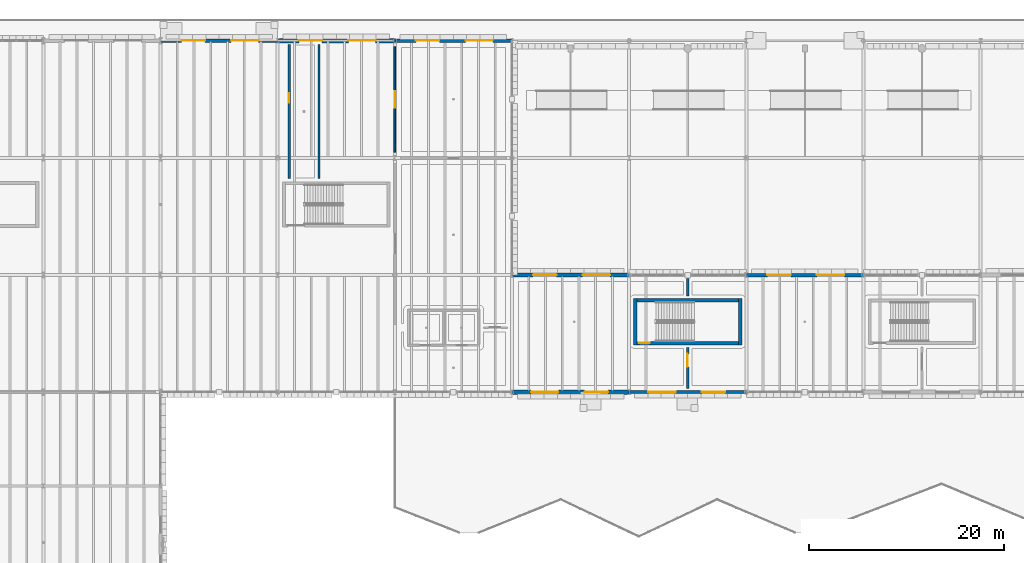
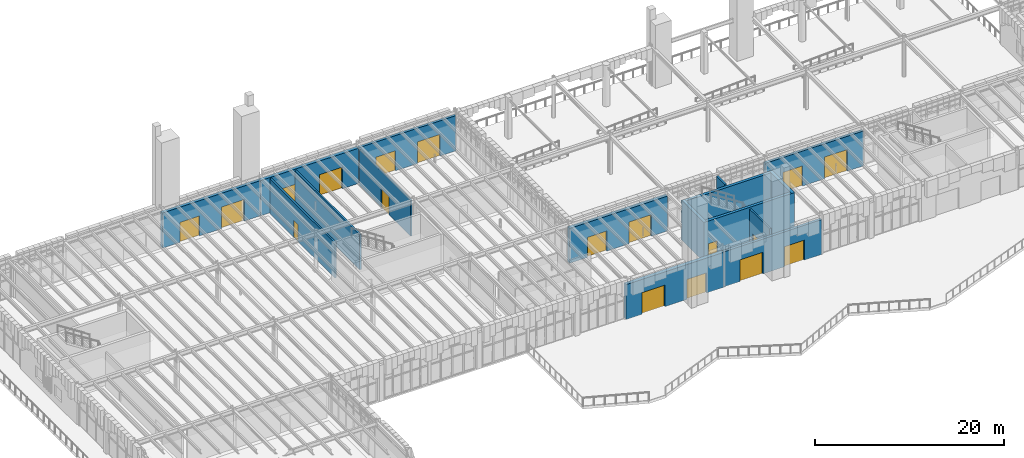
# One storey, part 54 of 103: 18 doors, 16 walls, 18 openings.
"""IFC4 building model written with IfcOpenShell, lengths in metres."""

from ifc_helpers import new_model, si_unit, direction, frame, frame_2d, origin, place, context, subcontext, project, spatial, rectangle, extrude, material, layer, layer_set, type_object, element, fill, save


model = new_model("IFC4")

# Units and contexts
model_context = context("Model", 3, precision=1e-05, world=origin(), true_north=direction((0.0, 1.0)))
body_context = subcontext(model_context, "Body", "Model", "MODEL_VIEW")
ifc_project = project(units=[si_unit("LENGTHUNIT", "METRE"), si_unit("AREAUNIT", "SQUARE_METRE"), si_unit("VOLUMEUNIT", "CUBIC_METRE"), si_unit("PLANEANGLEUNIT", "RADIAN"), si_unit("MASSUNIT", "GRAM", prefix="KILO")], contexts=[model_context])

# Site, building, storey
site_placement = place(None, origin())
site = spatial("IfcSite", under=ifc_project, at=site_placement, CompositionType="ELEMENT")
building_placement = place(site_placement, origin())
building = spatial("IfcBuilding", under=site, at=building_placement, Name="Zlatogorsky Bluff Art Gallery", CompositionType="ELEMENT")
storey_placement = place(building_placement, origin())
storey = spatial("IfcBuildingStorey", under=building, at=storey_placement, Name="L00", CompositionType="ELEMENT", Elevation=0.0)

# Wall, openings, doors
ifc_material_1 = material(Name="Precast concrete C40/50", Category="concrete")
ifc_layer_1 = layer(ifc_material_1, 0.360107421875)
ifc_layer_set_1 = layer_set([ifc_layer_1], Name="Exterior Wall EW-01 360mm")
wall_type_1 = type_object("IfcWallType", Name="Exterior Wall EW-01 360mm", PredefinedType="SOLIDWALL", material=ifc_layer_set_1)
wall_1_placement = place(storey_placement, frame((96.0, 96.0, 0.0), z_axis=(0.0, 0.0, 1.0), x_axis=(-1.0, 0.0, 0.0)))
wall_1 = element("IfcWall", 1, at=wall_1_placement, inside=storey, type_object=wall_type_1, Name="Exterior wall EW-01 L00 N 7.8", PredefinedType="SOLIDWALL", context=body_context, shape_type="SweptSolid", body=[
    extrude(rectangle(XDim=12.0, YDim=0.360107421875, at=frame_2d((6.0, 0.0))), origin(), (0.0, 0.0, 1.0), 4.52001953125),
])
opening_1_placement = place(wall_1_placement, frame((1.9599609375, 0.0, 0.0)))
opening_1 = element("IfcOpeningElement", 2, at=opening_1_placement, cuts=wall_1, Name="Opening ED-T3", PredefinedType="OPENING", context=body_context, shape_type="SweptSolid", body=[
    extrude(rectangle(XDim=2.800048828125, YDim=2.800048828125, at=frame_2d((1.39990234375, 1.39990234375))), frame((0.0, 0.18994140625, 0.0), z_axis=(0.0, -1.0, 0.0), x_axis=(1.0, 0.0, 0.0)), (0.0, 0.0, 1.0), 0.380126953125),
])
opening_2_placement = place(wall_1_placement, frame((7.43994140625, 0.0, 0.0)))
opening_2 = element("IfcOpeningElement", 3, at=opening_2_placement, cuts=wall_1, Name="Opening ED-T2", PredefinedType="OPENING", context=body_context, shape_type="SweptSolid", body=[
    extrude(rectangle(XDim=2.39990234375, YDim=2.60009765625, at=frame_2d((1.199951171875, 1.300048828125))), frame((0.0, 0.18994140625, 0.0), z_axis=(0.0, -1.0, 0.0), x_axis=(1.0, 0.0, 0.0)), (0.0, 0.0, 1.0), 0.380126953125),
])
ifc_material_2 = material(Name="Bronze-Clad Thermally Broken Steel and Laminated Glass", Category="steel")
door_type_1 = type_object("IfcDoorType", Name="Exterior Door ED-T2 2400x2600", OperationType="DOUBLE_DOOR_SINGLE_SWING", PredefinedType="DOOR", material=ifc_material_2)
door_1_placement = place(opening_2_placement, frame((2.39990234375, 0.0, 0.0), z_axis=(0.0, 0.0, 1.0), x_axis=(-1.0, 0.0, 0.0)))
door_1 = element("IfcDoor", 4, at=door_1_placement, inside=storey, type_object=door_type_1, Name="Ground exit portal double door ED-T2 N.7.8.2", OperationType="DOUBLE_DOOR_SINGLE_SWING", OverallHeight=2.60009765625, OverallWidth=2.39990234375, PredefinedType="DOOR", context=body_context, shape_type="SweptSolid", body=[
    extrude(rectangle(XDim=2.39990234375, YDim=2.60009765625, at=frame_2d((1.199951171875, 1.300048828125))), frame((0.0, 0.02490234375, 0.0), z_axis=(0.0, -1.0, 0.0), x_axis=(1.0, 0.0, 0.0)), (0.0, 0.0, 1.0), 0.050048828125),
])
fill(opening_2, door_1)
door_type_2 = type_object("IfcDoorType", Name="Exterior Door ED-T3 2800x2800", OperationType="DOUBLE_DOOR_SINGLE_SWING", PredefinedType="DOOR", material=ifc_material_2)
door_2_placement = place(opening_1_placement, frame((2.800048828125, 0.0, 0.0), z_axis=(0.0, 0.0, 1.0), x_axis=(-1.0, 0.0, 0.0)))
door_2 = element("IfcDoor", 5, at=door_2_placement, inside=storey, type_object=door_type_2, Name="Ground exit portal double door ED-T3 N.7.8.1", OperationType="DOUBLE_DOOR_SINGLE_SWING", OverallHeight=2.800048828125, OverallWidth=2.800048828125, PredefinedType="DOOR", context=body_context, shape_type="SweptSolid", body=[
    extrude(rectangle(XDim=2.800048828125, YDim=2.800048828125, at=frame_2d((1.39990234375, 1.39990234375))), frame((0.0, 0.02490234375, 0.0), z_axis=(0.0, -1.0, 0.0), x_axis=(1.0, 0.0, 0.0)), (0.0, 0.0, 1.0), 0.050048828125),
])
fill(opening_1, door_2)

ifc_layer_2 = layer(ifc_material_1, 0.39990234375)
ifc_layer_set_2 = layer_set([ifc_layer_2], Name="Exterior Wall EW-02 400mm")
wall_type_2 = type_object("IfcWallType", Name="Exterior Wall EW-02 400mm", PredefinedType="SOLIDWALL", material=ifc_layer_set_2)
wall_2_placement = place(storey_placement, frame((36.0, 120.0, 0.0), z_axis=(0.0, 0.0, 1.0), x_axis=(-1.0, 0.0, 0.0)))
wall_2 = element("IfcWall", 6, at=wall_2_placement, inside=storey, type_object=wall_type_2, Name="Exterior wall EW-02 L00 N 2.10", PredefinedType="SOLIDWALL", context=body_context, shape_type="SweptSolid", body=[
    extrude(rectangle(XDim=12.0, YDim=0.39990234375, at=frame_2d((6.0, 0.0))), origin(), (0.0, 0.0, 1.0), 4.56005859375),
])
opening_3_placement = place(wall_2_placement, frame((1.9599609375, 0.0, 0.0)))
opening_3 = element("IfcOpeningElement", 7, at=opening_3_placement, cuts=wall_2, Name="Opening ED-T3", PredefinedType="OPENING", context=body_context, shape_type="SweptSolid", body=[
    extrude(rectangle(XDim=2.800048828125, YDim=2.800048828125, at=frame_2d((1.39990234375, 1.39990234375))), frame((0.0, 0.2099609375, 0.0), z_axis=(0.0, -1.0, 0.0), x_axis=(1.0, 0.0, 0.0)), (0.0, 0.0, 1.0), 0.419921875),
])
opening_4_placement = place(wall_2_placement, frame((7.43994140625, 0.0, 0.0)))
opening_4 = element("IfcOpeningElement", 8, at=opening_4_placement, cuts=wall_2, Name="Opening ED-T2", PredefinedType="OPENING", context=body_context, shape_type="SweptSolid", body=[
    extrude(rectangle(XDim=2.39990234375, YDim=2.60009765625, at=frame_2d((1.199951171875, 1.300048828125))), frame((0.0, 0.2099609375, 0.0), z_axis=(0.0, -1.0, 0.0), x_axis=(1.0, 0.0, 0.0)), (0.0, 0.0, 1.0), 0.419921875),
])
door_3_placement = place(opening_4_placement, frame((2.39990234375, 0.0, 0.0), z_axis=(0.0, 0.0, 1.0), x_axis=(-1.0, 0.0, 0.0)))
door_3 = element("IfcDoor", 9, at=door_3_placement, inside=storey, type_object=door_type_1, Name="Ground exit portal double door ED-T2 N.2.10.2", OperationType="DOUBLE_DOOR_SINGLE_SWING", OverallHeight=2.60009765625, OverallWidth=2.39990234375, PredefinedType="DOOR", context=body_context, shape_type="SweptSolid", body=[
    extrude(rectangle(XDim=2.39990234375, YDim=2.60009765625, at=frame_2d((1.199951171875, 1.300048828125))), frame((0.0, 0.02490234375, 0.0), z_axis=(0.0, -1.0, 0.0), x_axis=(1.0, 0.0, 0.0)), (0.0, 0.0, 1.0), 0.050048828125),
])
fill(opening_4, door_3)
door_4_placement = place(opening_3_placement, frame((2.800048828125, 0.0, 0.0), z_axis=(0.0, 0.0, 1.0), x_axis=(-1.0, 0.0, 0.0)))
door_4 = element("IfcDoor", 10, at=door_4_placement, inside=storey, type_object=door_type_2, Name="Ground exit portal double door ED-T3 N.2.10.1", OperationType="DOUBLE_DOOR_SINGLE_SWING", OverallHeight=2.800048828125, OverallWidth=2.800048828125, PredefinedType="DOOR", context=body_context, shape_type="SweptSolid", body=[
    extrude(rectangle(XDim=2.800048828125, YDim=2.800048828125, at=frame_2d((1.39990234375, 1.39990234375))), frame((0.0, 0.02490234375, 0.0), z_axis=(0.0, -1.0, 0.0), x_axis=(1.0, 0.0, 0.0)), (0.0, 0.0, 1.0), 0.050048828125),
])
fill(opening_3, door_4)

ifc_layer_3 = layer(ifc_material_1, 0.43994140625)
ifc_layer_set_3 = layer_set([ifc_layer_3], Name="Exterior Wall EW-03 440mm")
wall_type_3 = type_object("IfcWallType", Name="Exterior Wall EW-03 440mm", PredefinedType="SOLIDWALL", material=ifc_layer_set_3)
wall_3_placement = place(storey_placement, frame((48.0, 120.0, 0.0), z_axis=(0.0, 0.0, 1.0), x_axis=(-1.0, 0.0, 0.0)))
wall_3 = element("IfcWall", 11, at=wall_3_placement, inside=storey, type_object=wall_type_3, Name="Exterior wall EW-03 L00 N 3.10", PredefinedType="SOLIDWALL", context=body_context, shape_type="SweptSolid", body=[
    extrude(rectangle(XDim=12.0, YDim=0.43994140625, at=frame_2d((6.0, 0.0))), origin(), (0.0, 0.0, 1.0), 4.56005859375),
])
opening_5_placement = place(wall_3_placement, frame((1.9599609375, 0.0, 0.0)))
opening_5 = element("IfcOpeningElement", 12, at=opening_5_placement, cuts=wall_3, Name="Opening ED-T3", PredefinedType="OPENING", context=body_context, shape_type="SweptSolid", body=[
    extrude(rectangle(XDim=2.800048828125, YDim=2.800048828125, at=frame_2d((1.39990234375, 1.39990234375))), frame((0.0, 0.22998046875, 0.0), z_axis=(0.0, -1.0, 0.0), x_axis=(1.0, 0.0, 0.0)), (0.0, 0.0, 1.0), 0.4599609375),
])
opening_6_placement = place(wall_3_placement, frame((7.43994140625, 0.0, 0.0)))
opening_6 = element("IfcOpeningElement", 13, at=opening_6_placement, cuts=wall_3, Name="Opening ED-T2", PredefinedType="OPENING", context=body_context, shape_type="SweptSolid", body=[
    extrude(rectangle(XDim=2.39990234375, YDim=2.60009765625, at=frame_2d((1.199951171875, 1.300048828125))), frame((0.0, 0.22998046875, 0.0), z_axis=(0.0, -1.0, 0.0), x_axis=(1.0, 0.0, 0.0)), (0.0, 0.0, 1.0), 0.4599609375),
])
door_5_placement = place(opening_6_placement, frame((2.39990234375, 0.0, 0.0), z_axis=(0.0, 0.0, 1.0), x_axis=(-1.0, 0.0, 0.0)))
door_5 = element("IfcDoor", 14, at=door_5_placement, inside=storey, type_object=door_type_1, Name="Ground exit portal double door ED-T2 N.3.10.2", OperationType="DOUBLE_DOOR_SINGLE_SWING", OverallHeight=2.60009765625, OverallWidth=2.39990234375, PredefinedType="DOOR", context=body_context, shape_type="SweptSolid", body=[
    extrude(rectangle(XDim=2.39990234375, YDim=2.60009765625, at=frame_2d((1.199951171875, 1.300048828125))), frame((0.0, 0.02490234375, 0.0), z_axis=(0.0, -1.0, 0.0), x_axis=(1.0, 0.0, 0.0)), (0.0, 0.0, 1.0), 0.050048828125),
])
fill(opening_6, door_5)
door_6_placement = place(opening_5_placement, frame((2.800048828125, 0.0, 0.0), z_axis=(0.0, 0.0, 1.0), x_axis=(-1.0, 0.0, 0.0)))
door_6 = element("IfcDoor", 15, at=door_6_placement, inside=storey, type_object=door_type_2, Name="Ground exit portal double door ED-T3 N.3.10.1", OperationType="DOUBLE_DOOR_SINGLE_SWING", OverallHeight=2.800048828125, OverallWidth=2.800048828125, PredefinedType="DOOR", context=body_context, shape_type="SweptSolid", body=[
    extrude(rectangle(XDim=2.800048828125, YDim=2.800048828125, at=frame_2d((1.39990234375, 1.39990234375))), frame((0.0, 0.02490234375, 0.0), z_axis=(0.0, -1.0, 0.0), x_axis=(1.0, 0.0, 0.0)), (0.0, 0.0, 1.0), 0.050048828125),
])
fill(opening_5, door_6)

wall_4_placement = place(storey_placement, frame((60.0, 84.0, 0.0), z_axis=(0.0, 0.0, 1.0), x_axis=(1.0, 0.0, 0.0)))
wall_4 = element("IfcWall", 16, at=wall_4_placement, inside=storey, type_object=wall_type_3, Name="Exterior wall EW-03 L00 S 5.8", PredefinedType="SOLIDWALL", context=body_context, shape_type="SweptSolid", body=[
    extrude(rectangle(XDim=12.0, YDim=0.43994140625, at=frame_2d((6.0, 0.0))), origin(), (0.0, 0.0, 1.0), 4.52001953125),
])
opening_7_placement = place(wall_4_placement, frame((1.9599609375, 0.0, 0.0)))
opening_7 = element("IfcOpeningElement", 17, at=opening_7_placement, cuts=wall_4, Name="Opening ED-T3", PredefinedType="OPENING", context=body_context, shape_type="SweptSolid", body=[
    extrude(rectangle(XDim=2.800048828125, YDim=2.800048828125, at=frame_2d((1.39990234375, 1.39990234375))), frame((0.0, 0.22998046875, 0.0), z_axis=(0.0, -1.0, 0.0), x_axis=(1.0, 0.0, 0.0)), (0.0, 0.0, 1.0), 0.4599609375),
])
opening_8_placement = place(wall_4_placement, frame((7.43994140625, 0.0, 0.0)))
opening_8 = element("IfcOpeningElement", 18, at=opening_8_placement, cuts=wall_4, Name="Opening ED-T2", PredefinedType="OPENING", context=body_context, shape_type="SweptSolid", body=[
    extrude(rectangle(XDim=2.39990234375, YDim=2.60009765625, at=frame_2d((1.199951171875, 1.300048828125))), frame((0.0, 0.22998046875, 0.0), z_axis=(0.0, -1.0, 0.0), x_axis=(1.0, 0.0, 0.0)), (0.0, 0.0, 1.0), 0.4599609375),
])
door_7_placement = place(opening_8_placement, frame((2.39990234375, 0.0, 0.0), z_axis=(0.0, 0.0, 1.0), x_axis=(-1.0, 0.0, 0.0)))
door_7 = element("IfcDoor", 19, at=door_7_placement, inside=storey, type_object=door_type_1, Name="Ground exit portal double door ED-T2 S.5.8.2", OperationType="DOUBLE_DOOR_SINGLE_SWING", OverallHeight=2.60009765625, OverallWidth=2.39990234375, PredefinedType="DOOR", context=body_context, shape_type="SweptSolid", body=[
    extrude(rectangle(XDim=2.39990234375, YDim=2.60009765625, at=frame_2d((1.199951171875, 1.300048828125))), frame((0.0, 0.02490234375, 0.0), z_axis=(0.0, -1.0, 0.0), x_axis=(1.0, 0.0, 0.0)), (0.0, 0.0, 1.0), 0.050048828125),
])
fill(opening_8, door_7)
door_8_placement = place(opening_7_placement, frame((2.800048828125, 0.0, 0.0), z_axis=(0.0, 0.0, 1.0), x_axis=(-1.0, 0.0, 0.0)))
door_8 = element("IfcDoor", 20, at=door_8_placement, inside=storey, type_object=door_type_2, Name="Ground exit portal double door ED-T3 S.5.8.1", OperationType="DOUBLE_DOOR_SINGLE_SWING", OverallHeight=2.800048828125, OverallWidth=2.800048828125, PredefinedType="DOOR", context=body_context, shape_type="SweptSolid", body=[
    extrude(rectangle(XDim=2.800048828125, YDim=2.800048828125, at=frame_2d((1.39990234375, 1.39990234375))), frame((0.0, 0.02490234375, 0.0), z_axis=(0.0, -1.0, 0.0), x_axis=(1.0, 0.0, 0.0)), (0.0, 0.0, 1.0), 0.050048828125),
])
fill(opening_7, door_8)

wall_5_placement = place(storey_placement, frame((72.0, 96.0, 0.0), z_axis=(0.0, 0.0, 1.0), x_axis=(-1.0, 0.0, 0.0)))
wall_5 = element("IfcWall", 21, at=wall_5_placement, inside=storey, type_object=wall_type_3, Name="Exterior wall EW-03 L00 N 5.8", PredefinedType="SOLIDWALL", context=body_context, shape_type="SweptSolid", body=[
    extrude(rectangle(XDim=12.0, YDim=0.43994140625, at=frame_2d((6.0, 0.0))), origin(), (0.0, 0.0, 1.0), 4.52001953125),
])
opening_9_placement = place(wall_5_placement, frame((1.9599609375, 0.0, 0.0)))
opening_9 = element("IfcOpeningElement", 22, at=opening_9_placement, cuts=wall_5, Name="Opening ED-T3", PredefinedType="OPENING", context=body_context, shape_type="SweptSolid", body=[
    extrude(rectangle(XDim=2.800048828125, YDim=2.800048828125, at=frame_2d((1.39990234375, 1.39990234375))), frame((0.0, 0.22998046875, 0.0), z_axis=(0.0, -1.0, 0.0), x_axis=(1.0, 0.0, 0.0)), (0.0, 0.0, 1.0), 0.4599609375),
])
opening_10_placement = place(wall_5_placement, frame((7.43994140625, 0.0, 0.0)))
opening_10 = element("IfcOpeningElement", 23, at=opening_10_placement, cuts=wall_5, Name="Opening ED-T2", PredefinedType="OPENING", context=body_context, shape_type="SweptSolid", body=[
    extrude(rectangle(XDim=2.39990234375, YDim=2.60009765625, at=frame_2d((1.199951171875, 1.300048828125))), frame((0.0, 0.22998046875, 0.0), z_axis=(0.0, -1.0, 0.0), x_axis=(1.0, 0.0, 0.0)), (0.0, 0.0, 1.0), 0.4599609375),
])
door_9_placement = place(opening_10_placement, frame((2.39990234375, 0.0, 0.0), z_axis=(0.0, 0.0, 1.0), x_axis=(-1.0, 0.0, 0.0)))
door_9 = element("IfcDoor", 24, at=door_9_placement, inside=storey, type_object=door_type_1, Name="Ground exit portal double door ED-T2 N.5.8.2", OperationType="DOUBLE_DOOR_SINGLE_SWING", OverallHeight=2.60009765625, OverallWidth=2.39990234375, PredefinedType="DOOR", context=body_context, shape_type="SweptSolid", body=[
    extrude(rectangle(XDim=2.39990234375, YDim=2.60009765625, at=frame_2d((1.199951171875, 1.300048828125))), frame((0.0, 0.02490234375, 0.0), z_axis=(0.0, -1.0, 0.0), x_axis=(1.0, 0.0, 0.0)), (0.0, 0.0, 1.0), 0.050048828125),
])
fill(opening_10, door_9)
door_10_placement = place(opening_9_placement, frame((2.800048828125, 0.0, 0.0), z_axis=(0.0, 0.0, 1.0), x_axis=(-1.0, 0.0, 0.0)))
door_10 = element("IfcDoor", 25, at=door_10_placement, inside=storey, type_object=door_type_2, Name="Ground exit portal double door ED-T3 N.5.8.1", OperationType="DOUBLE_DOOR_SINGLE_SWING", OverallHeight=2.800048828125, OverallWidth=2.800048828125, PredefinedType="DOOR", context=body_context, shape_type="SweptSolid", body=[
    extrude(rectangle(XDim=2.800048828125, YDim=2.800048828125, at=frame_2d((1.39990234375, 1.39990234375))), frame((0.0, 0.02490234375, 0.0), z_axis=(0.0, -1.0, 0.0), x_axis=(1.0, 0.0, 0.0)), (0.0, 0.0, 1.0), 0.050048828125),
])
fill(opening_9, door_10)

ifc_layer_4 = layer(ifc_material_1, 0.320068359375)
ifc_layer_set_4 = layer_set([ifc_layer_4], Name="Exterior Wall EW-04 320mm")
wall_type_4 = type_object("IfcWallType", Name="Exterior Wall EW-04 320mm", PredefinedType="SOLIDWALL", material=ifc_layer_set_4)
wall_6_placement = place(storey_placement, frame((60.0, 120.0, 0.0), z_axis=(0.0, 0.0, 1.0), x_axis=(-1.0, 0.0, 0.0)))
wall_6 = element("IfcWall", 26, at=wall_6_placement, inside=storey, type_object=wall_type_4, Name="Exterior wall EW-04 L00 N 4.10", PredefinedType="SOLIDWALL", context=body_context, shape_type="SweptSolid", body=[
    extrude(rectangle(XDim=12.0, YDim=0.320068359375, at=frame_2d((6.0, 0.0))), origin(), (0.0, 0.0, 1.0), 4.56005859375),
])
opening_11_placement = place(wall_6_placement, frame((1.9599609375, 0.0, 0.0)))
opening_11 = element("IfcOpeningElement", 27, at=opening_11_placement, cuts=wall_6, Name="Opening ED-T3", PredefinedType="OPENING", context=body_context, shape_type="SweptSolid", body=[
    extrude(rectangle(XDim=2.800048828125, YDim=2.800048828125, at=frame_2d((1.39990234375, 1.39990234375))), frame((0.0, 0.169921875, 0.0), z_axis=(0.0, -1.0, 0.0), x_axis=(1.0, 0.0, 0.0)), (0.0, 0.0, 1.0), 0.340087890625),
])
opening_12_placement = place(wall_6_placement, frame((7.43994140625, 0.0, 0.0)))
opening_12 = element("IfcOpeningElement", 28, at=opening_12_placement, cuts=wall_6, Name="Opening ED-T2", PredefinedType="OPENING", context=body_context, shape_type="SweptSolid", body=[
    extrude(rectangle(XDim=2.39990234375, YDim=2.60009765625, at=frame_2d((1.199951171875, 1.300048828125))), frame((0.0, 0.169921875, 0.0), z_axis=(0.0, -1.0, 0.0), x_axis=(1.0, 0.0, 0.0)), (0.0, 0.0, 1.0), 0.340087890625),
])
door_11_placement = place(opening_12_placement, frame((2.39990234375, 0.0, 0.0), z_axis=(0.0, 0.0, 1.0), x_axis=(-1.0, 0.0, 0.0)))
door_11 = element("IfcDoor", 29, at=door_11_placement, inside=storey, type_object=door_type_1, Name="Ground exit portal double door ED-T2 N.4.10.2", OperationType="DOUBLE_DOOR_SINGLE_SWING", OverallHeight=2.60009765625, OverallWidth=2.39990234375, PredefinedType="DOOR", context=body_context, shape_type="SweptSolid", body=[
    extrude(rectangle(XDim=2.39990234375, YDim=2.60009765625, at=frame_2d((1.199951171875, 1.300048828125))), frame((0.0, 0.02490234375, 0.0), z_axis=(0.0, -1.0, 0.0), x_axis=(1.0, 0.0, 0.0)), (0.0, 0.0, 1.0), 0.050048828125),
])
fill(opening_12, door_11)
door_12_placement = place(opening_11_placement, frame((2.800048828125, 0.0, 0.0), z_axis=(0.0, 0.0, 1.0), x_axis=(-1.0, 0.0, 0.0)))
door_12 = element("IfcDoor", 30, at=door_12_placement, inside=storey, type_object=door_type_2, Name="Ground exit portal double door ED-T3 N.4.10.1", OperationType="DOUBLE_DOOR_SINGLE_SWING", OverallHeight=2.800048828125, OverallWidth=2.800048828125, PredefinedType="DOOR", context=body_context, shape_type="SweptSolid", body=[
    extrude(rectangle(XDim=2.800048828125, YDim=2.800048828125, at=frame_2d((1.39990234375, 1.39990234375))), frame((0.0, 0.02490234375, 0.0), z_axis=(0.0, -1.0, 0.0), x_axis=(1.0, 0.0, 0.0)), (0.0, 0.0, 1.0), 0.050048828125),
])
fill(opening_11, door_12)

wall_7_placement = place(storey_placement, frame((72.0, 84.0, 0.0), z_axis=(0.0, 0.0, 1.0), x_axis=(1.0, 0.0, 0.0)))
wall_7 = element("IfcWall", 31, at=wall_7_placement, inside=storey, type_object=wall_type_4, Name="Exterior wall EW-04 L00 S 6.8", PredefinedType="SOLIDWALL", context=body_context, shape_type="SweptSolid", body=[
    extrude(rectangle(XDim=12.0, YDim=0.320068359375, at=frame_2d((6.0, 0.0))), origin(), (0.0, 0.0, 1.0), 4.52001953125),
])
opening_13_placement = place(wall_7_placement, frame((1.9599609375, 0.0, 0.0)))
opening_13 = element("IfcOpeningElement", 32, at=opening_13_placement, cuts=wall_7, Name="Opening ED-T3", PredefinedType="OPENING", context=body_context, shape_type="SweptSolid", body=[
    extrude(rectangle(XDim=2.800048828125, YDim=2.800048828125, at=frame_2d((1.39990234375, 1.39990234375))), frame((0.0, 0.169921875, 0.0), z_axis=(0.0, -1.0, 0.0), x_axis=(1.0, 0.0, 0.0)), (0.0, 0.0, 1.0), 0.340087890625),
])
opening_14_placement = place(wall_7_placement, frame((7.43994140625, 0.0, 0.0)))
opening_14 = element("IfcOpeningElement", 33, at=opening_14_placement, cuts=wall_7, Name="Opening ED-T2", PredefinedType="OPENING", context=body_context, shape_type="SweptSolid", body=[
    extrude(rectangle(XDim=2.39990234375, YDim=2.60009765625, at=frame_2d((1.199951171875, 1.300048828125))), frame((0.0, 0.169921875, 0.0), z_axis=(0.0, -1.0, 0.0), x_axis=(1.0, 0.0, 0.0)), (0.0, 0.0, 1.0), 0.340087890625),
])
door_13_placement = place(opening_14_placement, frame((2.39990234375, 0.0, 0.0), z_axis=(0.0, 0.0, 1.0), x_axis=(-1.0, 0.0, 0.0)))
door_13 = element("IfcDoor", 34, at=door_13_placement, inside=storey, type_object=door_type_1, Name="Ground exit portal double door ED-T2 S.6.8.2", OperationType="DOUBLE_DOOR_SINGLE_SWING", OverallHeight=2.60009765625, OverallWidth=2.39990234375, PredefinedType="DOOR", context=body_context, shape_type="SweptSolid", body=[
    extrude(rectangle(XDim=2.39990234375, YDim=2.60009765625, at=frame_2d((1.199951171875, 1.300048828125))), frame((0.0, 0.02490234375, 0.0), z_axis=(0.0, -1.0, 0.0), x_axis=(1.0, 0.0, 0.0)), (0.0, 0.0, 1.0), 0.050048828125),
])
fill(opening_14, door_13)
door_14_placement = place(opening_13_placement, frame((2.800048828125, 0.0, 0.0), z_axis=(0.0, 0.0, 1.0), x_axis=(-1.0, 0.0, 0.0)))
door_14 = element("IfcDoor", 35, at=door_14_placement, inside=storey, type_object=door_type_2, Name="Ground exit portal double door ED-T3 S.6.8.1", OperationType="DOUBLE_DOOR_SINGLE_SWING", OverallHeight=2.800048828125, OverallWidth=2.800048828125, PredefinedType="DOOR", context=body_context, shape_type="SweptSolid", body=[
    extrude(rectangle(XDim=2.800048828125, YDim=2.800048828125, at=frame_2d((1.39990234375, 1.39990234375))), frame((0.0, 0.02490234375, 0.0), z_axis=(0.0, -1.0, 0.0), x_axis=(1.0, 0.0, 0.0)), (0.0, 0.0, 1.0), 0.050048828125),
])
fill(opening_13, door_14)

# Wall, opening, door
ifc_material_3 = material(Name="Concrete C30/37", Category="concrete")
ifc_layer_5 = layer(ifc_material_3, 0.179931640625)
ifc_layer_set_5 = layer_set([ifc_layer_5], Name="Interior Wall IW-02 180mm")
wall_type_5 = type_object("IfcWallType", Name="Interior Wall IW-02 180mm", PredefinedType="PARTITIONING", material=ifc_layer_set_5)
wall_8_placement = place(storey_placement, frame((48.0, 108.557373046875, 0.0), z_axis=(0.0, 0.0, 1.0), x_axis=(0.0, 1.0, 0.0)))
wall_8 = element("IfcWall", 36, at=wall_8_placement, inside=storey, type_object=wall_type_5, Name="Partition IW-02 between L00-F1-12 and L00-FC", PredefinedType="PARTITIONING", context=body_context, shape_type="SweptSolid", body=[
    extrude(rectangle(XDim=10.84814453125, YDim=0.179931640625, at=frame_2d((5.424072265625, 0.0))), origin(), (0.0, 0.0, 1.0), 4.6298828125),
])
opening_15_placement = place(wall_8_placement, frame((4.59912109375, 0.0, 0.0)))
opening_15 = element("IfcOpeningElement", 37, at=opening_15_placement, cuts=wall_8, Name="Opening ID-10", PredefinedType="OPENING", context=body_context, shape_type="SweptSolid", body=[
    extrude(rectangle(XDim=1.64990234375, YDim=2.35009765625, at=frame_2d((0.824951171875, 1.175048828125))), frame((0.0, 0.099853515625, 0.0), z_axis=(0.0, -1.0, 0.0), x_axis=(1.0, 0.0, 0.0)), (0.0, 0.0, 1.0), 0.199951171875),
])
ifc_material_4 = material(Name="Anodised Aluminium and Laminated Timber", Category="wood")
door_type_3 = type_object("IfcDoorType", Name="Interior Door ID-10 1650x2350", OperationType="DOUBLE_DOOR_SINGLE_SWING", PredefinedType="DOOR", material=ifc_material_4)
door_15_placement = place(opening_15_placement, origin())
door_15 = element("IfcDoor", 38, at=door_15_placement, inside=storey, type_object=door_type_3, Name="Door ID-10 L00-F1-12-L00-FC", OperationType="DOUBLE_DOOR_SINGLE_SWING", OverallHeight=2.35009765625, OverallWidth=1.64990234375, PredefinedType="DOOR", context=body_context, shape_type="SweptSolid", body=[
    extrude(rectangle(XDim=1.64990234375, YDim=2.35009765625, at=frame_2d((0.824951171875, 1.175048828125))), frame((0.0, 0.02490234375, 0.0), z_axis=(0.0, -1.0, 0.0), x_axis=(1.0, 0.0, 0.0)), (0.0, 0.0, 1.0), 0.050048828125),
])
fill(opening_15, door_15)

ifc_layer_6 = layer(ifc_material_3, 0.219970703125)
ifc_layer_set_6 = layer_set([ifc_layer_6], Name="Interior Wall IW-04 220mm")
wall_type_6 = type_object("IfcWallType", Name="Interior Wall IW-04 220mm", PredefinedType="PARTITIONING", material=ifc_layer_set_6)
wall_9_placement = place(storey_placement, frame((37.175048828125, 105.8701171875, 0.0), z_axis=(0.0, 0.0, 1.0), x_axis=(0.0, 1.0, 0.0)))
wall_9 = element("IfcWall", 39, at=wall_9_placement, inside=storey, type_object=wall_type_6, Name="Partition IW-04 between L00-EP-07 and L00-F1-12-S1", PredefinedType="PARTITIONING", context=body_context, shape_type="SweptSolid", body=[
    extrude(rectangle(XDim=13.769775390625, YDim=0.219970703125, at=frame_2d((6.884765625, 0.0))), origin(), (0.0, 0.0, 1.0), 4.530029296875),
])
opening_16_placement = place(wall_9_placement, frame((7.761962890625, 0.0, 0.0)))
opening_16 = element("IfcOpeningElement", 40, at=opening_16_placement, cuts=wall_9, Name="Opening ID-03", PredefinedType="OPENING", context=body_context, shape_type="SweptSolid", body=[
    extrude(rectangle(XDim=1.0, YDim=2.199951171875, at=frame_2d((0.5, 1.10009765625))), frame((0.0, 0.119873046875, 0.0), z_axis=(0.0, -1.0, 0.0), x_axis=(1.0, 0.0, 0.0)), (0.0, 0.0, 1.0), 0.239990234375),
])
door_type_4 = type_object("IfcDoorType", Name="Interior Door ID-03 1000x2200", OperationType="SINGLE_SWING_LEFT", PredefinedType="DOOR", material=ifc_material_4)
door_16_placement = place(opening_16_placement, origin())
door_16 = element("IfcDoor", 41, at=door_16_placement, inside=storey, type_object=door_type_4, Name="Door ID-03 L00-EP-07-L00-F1-12-S1", OperationType="SINGLE_SWING_LEFT", OverallHeight=2.199951171875, OverallWidth=1.0, PredefinedType="DOOR", context=body_context, shape_type="SweptSolid", body=[
    extrude(rectangle(XDim=1.0, YDim=2.199951171875, at=frame_2d((0.5, 1.10009765625))), frame((0.0, 0.02490234375, 0.0), z_axis=(0.0, -1.0, 0.0), x_axis=(1.0, 0.0, 0.0)), (0.0, 0.0, 1.0), 0.050048828125),
])
fill(opening_16, door_16)

# Wall
wall_10_placement = place(storey_placement, frame((40.22509765625, 105.8701171875, 0.0), z_axis=(0.0, 0.0, 1.0), x_axis=(0.0, 1.0, 0.0)))
element("IfcWall", 42, at=wall_10_placement, inside=storey, type_object=wall_type_6, Name="Partition IW-04 between L00-EP-07 and L00-F1-12-S2", PredefinedType="PARTITIONING", context=body_context, shape_type="SweptSolid", body=[
    extrude(rectangle(XDim=13.769775390625, YDim=0.219970703125, at=frame_2d((6.884765625, 0.0))), origin(), (0.0, 0.0, 1.0), 4.530029296875),
])

# Wall, opening, door
wall_11_placement = place(storey_placement, frame((78.0, 84.360107421875, 0.0), z_axis=(0.0, 0.0, 1.0), x_axis=(0.0, 1.0, 0.0)))
wall_11 = element("IfcWall", 43, at=wall_11_placement, inside=storey, type_object=wall_type_6, Name="Partition IW-04 between L00-C1-11 and L00-C1-12-S1", PredefinedType="PARTITIONING", context=body_context, shape_type="SweptSolid", body=[
    extrude(rectangle(XDim=4.219970703125, YDim=0.219970703125, at=frame_2d((2.10986328125, 0.0))), origin(), (0.0, 0.0, 1.0), 5.1201171875),
])
opening_17_placement = place(wall_11_placement, frame((2.219970703125, 0.0, 0.0)))
opening_17 = element("IfcOpeningElement", 44, at=opening_17_placement, cuts=wall_11, Name="Opening ID-08", PredefinedType="OPENING", context=body_context, shape_type="SweptSolid", body=[
    extrude(rectangle(XDim=1.35009765625, YDim=2.300048828125, at=frame_2d((0.675048828125, 1.14990234375))), frame((0.0, 0.119873046875, 0.0), z_axis=(0.0, -1.0, 0.0), x_axis=(1.0, 0.0, 0.0)), (0.0, 0.0, 1.0), 0.239990234375),
])
door_type_5 = type_object("IfcDoorType", Name="Interior Door ID-08 1350x2300", OperationType="DOUBLE_SWING_LEFT", PredefinedType="DOOR", material=ifc_material_4)
door_17_placement = place(opening_17_placement, origin())
door_17 = element("IfcDoor", 45, at=door_17_placement, inside=storey, type_object=door_type_5, Name="Door ID-08 L00-C1-11-L00-C1-12-S1", OperationType="DOUBLE_SWING_LEFT", OverallHeight=2.300048828125, OverallWidth=1.35009765625, PredefinedType="DOOR", context=body_context, shape_type="SweptSolid", body=[
    extrude(rectangle(XDim=1.35009765625, YDim=2.300048828125, at=frame_2d((0.675048828125, 1.14990234375))), frame((0.0, 0.02490234375, 0.0), z_axis=(0.0, -1.0, 0.0), x_axis=(1.0, 0.0, 0.0)), (0.0, 0.0, 1.0), 0.050048828125),
])
fill(opening_17, door_17)

# Wall
wall_12_placement = place(storey_placement, frame((78.0, 93.8701171875, 0.0), z_axis=(0.0, 0.0, 1.0), x_axis=(0.0, 1.0, 0.0)))
element("IfcWall", 46, at=wall_12_placement, inside=storey, type_object=wall_type_6, Name="Partition IW-04 between L00-C1-11 and L00-C1-12-S2", PredefinedType="PARTITIONING", context=body_context, shape_type="SweptSolid", body=[
    extrude(rectangle(XDim=1.769775390625, YDim=0.219970703125, at=frame_2d((0.884765625, 0.0))), origin(), (0.0, 0.0, 1.0), 5.1201171875),
])

# Wall, opening, door
ifc_material_5 = material(Name="Concrete C35/45", Category="concrete")
ifc_layer_7 = layer(ifc_material_5, 0.35009765625)
ifc_layer_set_7 = layer_set([ifc_layer_7], Name="Interior Wall SW-02 350mm")
wall_type_7 = type_object("IfcWallType", Name="Interior Wall SW-02 350mm", PredefinedType="SHEAR", material=ifc_layer_set_7)
wall_13_placement = place(storey_placement, frame((72.449951171875, 89.02490234375, 0.0), z_axis=(0.0, 0.0, 1.0), x_axis=(1.0, 0.0, 0.0)))
wall_13 = element("IfcWall", 47, at=wall_13_placement, inside=storey, type_object=wall_type_7, Name="Stair ST-08 enclosure wall L00 W0", PredefinedType="SHEAR", context=body_context, shape_type="SweptSolid", body=[
    extrude(rectangle(XDim=11.10009765625, YDim=0.35009765625, at=frame_2d((5.550048828125, 0.0))), origin(), (0.0, 0.0, 1.0), 5.139892578125),
])
opening_18_placement = place(wall_13_placement, frame((0.550048828125, 0.0, 0.0)))
opening_18 = element("IfcOpeningElement", 48, at=opening_18_placement, cuts=wall_13, Name="Opening FD-01", PredefinedType="OPENING", context=body_context, shape_type="SweptSolid", body=[
    extrude(rectangle(XDim=1.1201171875, YDim=2.199951171875, at=frame_2d((0.56005859375, 1.10009765625))), frame((0.0, 0.18505859375, 0.0), z_axis=(0.0, -1.0, 0.0), x_axis=(1.0, 0.0, 0.0)), (0.0, 0.0, 1.0), 0.3701171875),
])
door_type_6 = type_object("IfcDoorType", Name="Interior Door FD-01 1120x2200", OperationType="SINGLE_SWING_LEFT", PredefinedType="DOOR", material=ifc_material_4)
door_18_placement = place(opening_18_placement, frame((1.1201171875, 0.0, 0.0), z_axis=(0.0, 0.0, 1.0), x_axis=(-1.0, 0.0, 0.0)))
door_18 = element("IfcDoor", 49, at=door_18_placement, inside=storey, type_object=door_type_6, Name="Stair ST-08 fire door L00", OperationType="SINGLE_SWING_RIGHT", OverallHeight=2.199951171875, OverallWidth=1.1201171875, PredefinedType="DOOR", context=body_context, shape_type="SweptSolid", body=[
    extrude(rectangle(XDim=1.1201171875, YDim=2.199951171875, at=frame_2d((0.56005859375, 1.10009765625))), frame((0.0, 0.02490234375, 0.0), z_axis=(0.0, -1.0, 0.0), x_axis=(1.0, 0.0, 0.0)), (0.0, 0.0, 1.0), 0.050048828125),
])
fill(opening_18, door_18)

# Walls
wall_14_placement = place(storey_placement, frame((83.375, 88.85009765625, 0.0), z_axis=(0.0, 0.0, 1.0), x_axis=(0.0, 1.0, 0.0)))
element("IfcWall", 50, at=wall_14_placement, inside=storey, type_object=wall_type_7, Name="Stair ST-08 enclosure wall L00 FEND", PredefinedType="SHEAR", context=body_context, shape_type="SweptSolid", body=[
    extrude(rectangle(XDim=4.75, YDim=0.35009765625, at=frame_2d((2.375, 0.0))), origin(), (0.0, 0.0, 1.0), 5.139892578125),
])
wall_15_placement = place(storey_placement, frame((83.550048828125, 93.425048828125, 0.0), z_axis=(0.0, 0.0, 1.0), x_axis=(-1.0, 0.0, 0.0)))
element("IfcWall", 51, at=wall_15_placement, inside=storey, type_object=wall_type_7, Name="Stair ST-08 enclosure wall L00 W1", PredefinedType="SHEAR", context=body_context, shape_type="SweptSolid", body=[
    extrude(rectangle(XDim=11.10009765625, YDim=0.35009765625, at=frame_2d((5.550048828125, 0.0))), origin(), (0.0, 0.0, 1.0), 5.139892578125),
])
wall_16_placement = place(storey_placement, frame((72.625, 93.60009765625, 0.0), z_axis=(0.0, 0.0, 1.0), x_axis=(0.0, -1.0, 0.0)))
element("IfcWall", 52, at=wall_16_placement, inside=storey, type_object=wall_type_7, Name="Stair ST-08 enclosure wall L00 LEND", PredefinedType="SHEAR", context=body_context, shape_type="SweptSolid", body=[
    extrude(rectangle(XDim=4.75, YDim=0.35009765625, at=frame_2d((2.375, 0.0))), origin(), (0.0, 0.0, 1.0), 5.139892578125),
])

save(model, "model.ifc")
